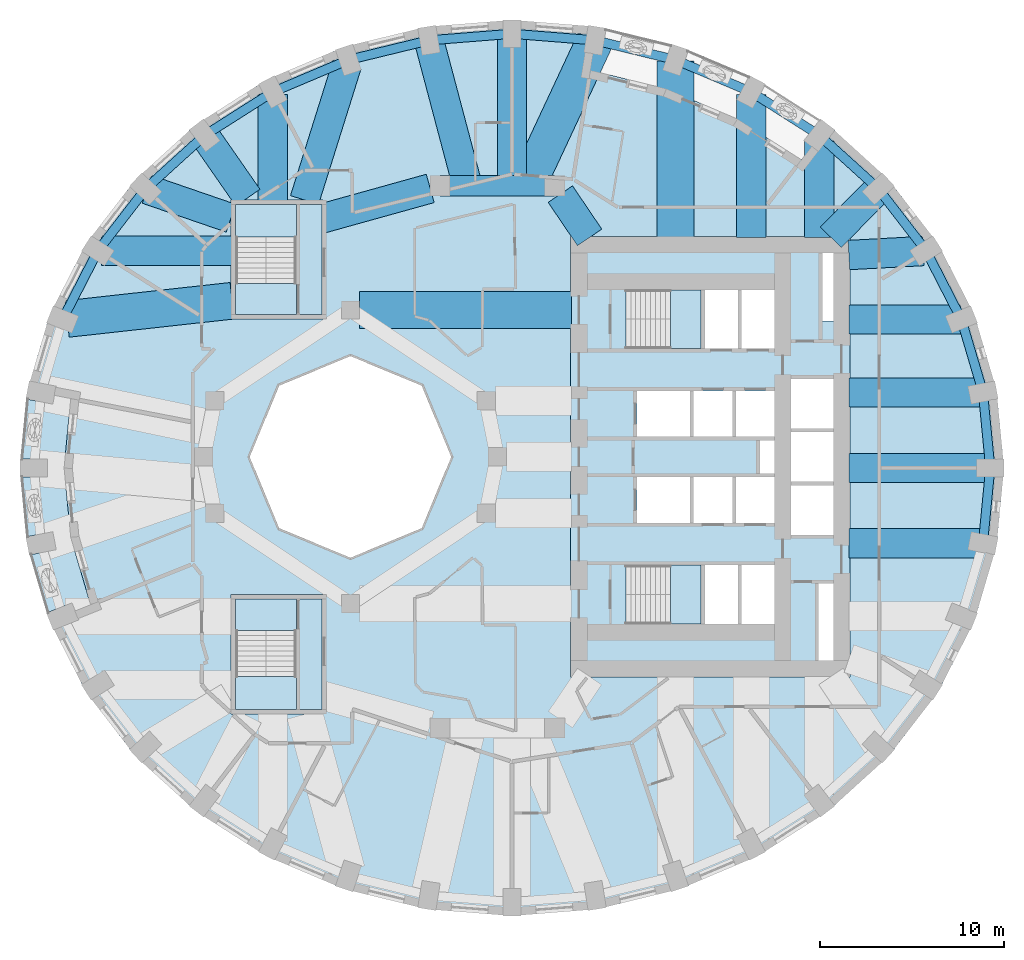
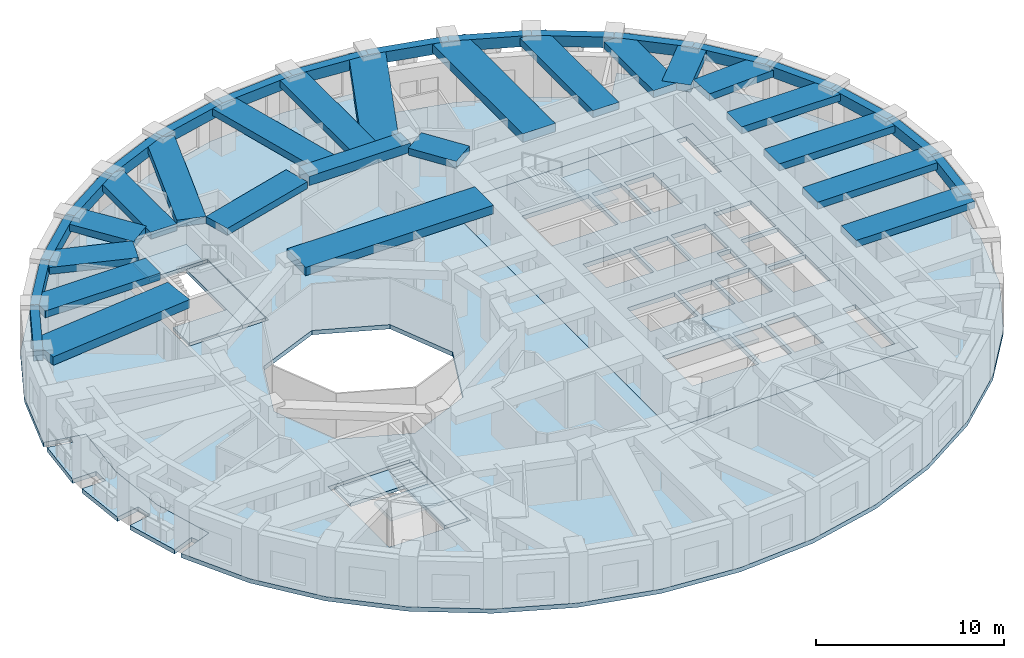
# One storey, part 2 of 12: 39 beams, 11 slabs, 4 elements without a shape of their own.
"""IFC4 building model written with IfcOpenShell, lengths in metres."""

import ifcopenshell
import ifcopenshell.guid

model = None  # the IFC model being written
_history = None  # IfcOwnerHistory: only IFC2X3 demands one
_inside = {}  # id of a spatial element -> (the spatial element, [elements in it])
_under = {}  # id of a project, library or spatial element -> (it, [spatial elements below it])
_declared = {}  # id of a project -> (the project, [libraries it declares])
_typed = {}  # id of a type object -> (the type object, [elements of that type])
_made_of = {}  # id of a material, layer set ... -> (it, [elements and type objects made of it])


def new_model(schema):
    """Start an empty IFC model of exactly this schema.

    Asked for "IFC4X3", IfcOpenShell would pick the latest addendum, in which some entities
    have other attributes; the version numbers below select the first issue.
    IFC2X3 requires an IfcOwnerHistory on every rooted entity: one is made here for all.
    """
    global model, _history
    if schema == "IFC4X3":
        model = ifcopenshell.file(schema_version=(4, 3, 0, 0))
    else:
        model = ifcopenshell.file(schema=schema)
    _inside.clear()
    _under.clear()
    _declared.clear()
    _typed.clear()
    _made_of.clear()
    _history = None
    if model.schema == "IFC2X3":
        org = make("IfcOrganization", Name="unknown")
        user = make(
            "IfcPersonAndOrganization",
            ThePerson=make("IfcPerson", FamilyName="unknown"),
            TheOrganization=org,
        )
        app = make(
            "IfcApplication",
            ApplicationDeveloper=org,
            Version="unknown",
            ApplicationFullName="unknown",
            ApplicationIdentifier="unknown",
        )
        _history = make(
            "IfcOwnerHistory",
            OwningUser=user,
            OwningApplication=app,
            ChangeAction="ADDED",
            CreationDate=0,
        )
    return model


def make(cls, **values):
    """One entity of the class cls with the attributes given. An attribute that is None is left unset."""
    return model.create_entity(
        cls, **{name: value for name, value in values.items() if value is not None}
    )


def rooted(cls, **values):
    """An entity with a GlobalId (a new one), such as an element, a storey or a relation."""
    return make(cls, GlobalId=ifcopenshell.guid.new(), OwnerHistory=_history, **values)


def si_unit(unit_type, name, prefix=None):
    """IfcSIUnit, for example si_unit("LENGTHUNIT", "METRE", prefix="MILLI")."""
    return make("IfcSIUnit", UnitType=unit_type, Prefix=prefix, Name=name)


def assignment(units):
    """IfcUnitAssignment: the units of a project."""
    return None if units is None else make("IfcUnitAssignment", Units=units)


def point(xyz):
    """IfcCartesianPoint."""
    return None if xyz is None else make("IfcCartesianPoint", Coordinates=xyz)


def direction(xyz):
    """IfcDirection."""
    return None if xyz is None else make("IfcDirection", DirectionRatios=xyz)


def frame(location, z_axis=None, x_axis=None):
    """IfcAxis2Placement3D, a coordinate frame: its origin and axes. An axis left out is left unset."""
    return make(
        "IfcAxis2Placement3D",
        Location=point(location),
        Axis=direction(z_axis),
        RefDirection=direction(x_axis),
    )


def frame_2d(location, x_axis=None):
    """IfcAxis2Placement2D, a coordinate frame in the plane: its origin and x axis."""
    return make(
        "IfcAxis2Placement2D", Location=point(location), RefDirection=direction(x_axis)
    )


def origin():
    """The frame at (0, 0, 0) with its axes left unset."""
    return frame((0.0, 0.0, 0.0))


def origin_2d():
    """The frame at (0, 0) in the plane with its x axis left unset."""
    return frame_2d((0.0, 0.0))


def place(relative_to, where):
    """IfcLocalPlacement: puts the frame where relative to a parent placement (None: the world)."""
    return make(
        "IfcLocalPlacement", PlacementRelTo=relative_to, RelativePlacement=where
    )


def context(
    kind, dimensions, precision=None, world=None, true_north=None, identifier=None
):
    """IfcGeometricRepresentationContext, for example the 3D "Model" context."""
    return make(
        "IfcGeometricRepresentationContext",
        ContextIdentifier=identifier,
        ContextType=kind,
        CoordinateSpaceDimension=dimensions,
        Precision=precision,
        WorldCoordinateSystem=world,
        TrueNorth=true_north,
    )


def subcontext(parent, identifier, kind, view, scale=None):
    """IfcGeometricRepresentationSubContext, for example "Body" below "Model"."""
    return make(
        "IfcGeometricRepresentationSubContext",
        ContextIdentifier=identifier,
        ContextType=kind,
        ParentContext=parent,
        TargetScale=scale,
        TargetView=view,
    )


def project(units=None, contexts=None):
    """IfcProject with its units and contexts."""
    return rooted(
        "IfcProject",
        Name="project",
        RepresentationContexts=contexts,
        UnitsInContext=assignment(units),
    )


def spatial(cls, under=None, at=None, **own):
    """A site, building, storey or space (cls), placed at a placement, below another one or the project."""
    s = rooted(cls, ObjectPlacement=at, **own)
    if under is not None:
        _under.setdefault(under.id(), (under, []))[1].append(s)
    return s


def polyline(points):
    """IfcPolyline through the points."""
    return make("IfcPolyline", Points=[point(p) for p in points])


def profile(cls, at=None, kind="AREA", **sizes):
    """A parametric profile (cls). Its sizes go by their IFC names, for example OverallWidth=200.0."""
    return make(cls, ProfileType=kind, Position=at, **sizes)


def rectangle(**sizes):
    """IfcRectangleProfileDef."""
    return profile("IfcRectangleProfileDef", **sizes)


def outline(outer, holes=None, kind="AREA"):
    """IfcArbitraryClosedProfileDef: a profile drawn as a closed curve; with holes, ...WithVoids."""
    if holes is None:
        return make("IfcArbitraryClosedProfileDef", ProfileType=kind, OuterCurve=outer)
    return make(
        "IfcArbitraryProfileDefWithVoids",
        ProfileType=kind,
        OuterCurve=outer,
        InnerCurves=holes,
    )


def extrude(swept, where, along, depth):
    """IfcExtrudedAreaSolid: the profile swept, set in the frame where, extruded along a direction by depth."""
    return make(
        "IfcExtrudedAreaSolid",
        SweptArea=swept,
        Position=where,
        ExtrudedDirection=direction(along),
        Depth=depth,
    )


def shape(context_of_items, identifier, shape_type, items):
    """IfcShapeRepresentation: the items that make up one representation, for example the "Body"."""
    return make(
        "IfcShapeRepresentation",
        ContextOfItems=context_of_items,
        RepresentationIdentifier=identifier,
        RepresentationType=shape_type,
        Items=items,
    )


def material(Name=None, Category=None):
    """IfcMaterial."""
    return make("IfcMaterial", Name=Name, Category=Category)


def layer(
    of_material, thickness, ventilated=None, Name=None, Category=None, Priority=None
):
    """IfcMaterialLayer: one layer of a wall or slab, of a material (None: an air gap)."""
    return make(
        "IfcMaterialLayer",
        Material=of_material,
        LayerThickness=thickness,
        IsVentilated=ventilated,
        Name=Name,
        Category=Category,
        Priority=Priority,
    )


def layer_set(layers, Name=None):
    """IfcMaterialLayerSet."""
    return make("IfcMaterialLayerSet", MaterialLayers=layers, LayerSetName=Name)


def material_profile(
    of_material, cross_section, Name=None, Category=None, Priority=None
):
    """IfcMaterialProfile: a cross section and its material."""
    return make(
        "IfcMaterialProfile",
        Name=Name,
        Material=of_material,
        Profile=cross_section,
        Priority=Priority,
        Category=Category,
    )


def profile_set(profiles, Name=None, composite=None):
    """IfcMaterialProfileSet."""
    return make(
        "IfcMaterialProfileSet",
        Name=Name,
        MaterialProfiles=profiles,
        CompositeProfile=composite,
    )


def made_of(thing, what):
    """Note that an element or type object is made of a material, layer set ...; save() writes the relation."""
    if what is not None:
        _made_of.setdefault(what.id(), (what, []))[1].append(thing)
    return thing


def type_object(cls, material=None, **own):
    """A type object (cls), such as IfcWallType, which elements share."""
    return made_of(rooted(cls, **own), material)


def element(
    cls,
    number,
    at=None,
    inside=None,
    cuts=None,
    type_object=None,
    material=None,
    context=None,
    identifier="Body",
    shape_type=None,
    held_by="IfcProductDefinitionShape",
    body=None,
    shapes=None,
    **own,
):
    """One element of the class cls, such as IfcWall. Its Tag is "e" and its number.

    at: its placement. inside: the storey or other place that contains it. cuts: it is an
    opening in that element (IfcRelVoidsElement). A single representation is given by context,
    identifier, shape_type and body (its items); several are given by shapes. held_by: the class
    of the entity that holds the representations. save() writes the other relations.
    """
    e = rooted(cls, Tag="e%d" % number, ObjectPlacement=at, **own)
    if body is not None:
        shapes = [shape(context, identifier, shape_type, body)]
    if shapes is not None:
        e.Representation = make(held_by, Representations=shapes)
    if inside is not None:
        _inside.setdefault(inside.id(), (inside, []))[1].append(e)
    if cuts is not None:
        rooted(
            "IfcRelVoidsElement", RelatingBuildingElement=cuts, RelatedOpeningElement=e
        )
    if type_object is not None:
        _typed.setdefault(type_object.id(), (type_object, []))[1].append(e)
    return made_of(e, material)


def aggregate(whole, parts):
    """IfcRelAggregates: a whole, such as a stair, and the parts it consists of."""
    return rooted("IfcRelAggregates", RelatingObject=whole, RelatedObjects=parts)


def save(model, path):
    """Write the relations noted so far, then the file.

    IfcRelAggregates (storeys below a building ...), IfcRelContainedInSpatialStructure (elements
    in a storey), IfcRelDefinesByType, IfcRelAssociatesMaterial and IfcRelDeclares: one each for
    every whole, place, type object, material and project.
    """
    for whole, parts in _under.values():
        aggregate(whole, parts)
    for where, things in _inside.values():
        rooted(
            "IfcRelContainedInSpatialStructure",
            RelatedElements=things,
            RelatingStructure=where,
        )
    for kind, things in _typed.values():
        rooted("IfcRelDefinesByType", RelatedObjects=things, RelatingType=kind)
    for what, things in _made_of.values():
        rooted("IfcRelAssociatesMaterial", RelatedObjects=things, RelatingMaterial=what)
    for by, libraries in _declared.values():
        rooted("IfcRelDeclares", RelatingContext=by, RelatedDefinitions=libraries)
    model.write(path)


model = new_model("IFC4")

# Units and contexts
model_context = context("Model", 3, precision=1e-05, world=origin(), true_north=direction((0.0, 1.0)))
body_context = subcontext(model_context, "Body", "Model", "MODEL_VIEW")
ifc_project = project(units=[si_unit("LENGTHUNIT", "METRE"), si_unit("AREAUNIT", "SQUARE_METRE"), si_unit("VOLUMEUNIT", "CUBIC_METRE"), si_unit("PLANEANGLEUNIT", "RADIAN"), si_unit("MASSUNIT", "GRAM", prefix="KILO")], contexts=[model_context])

# Site, building, storey
site_placement = place(None, origin())
site = spatial("IfcSite", under=ifc_project, at=site_placement, CompositionType="ELEMENT")
building_placement = place(site_placement, origin())
building = spatial("IfcBuilding", under=site, at=building_placement, Name="Taillehof Tower", CompositionType="ELEMENT")
storey_placement = place(building_placement, frame((0.0, 0.0, 98.800048828125)))
storey = spatial("IfcBuildingStorey", under=building, at=storey_placement, Name="L27", CompositionType="ELEMENT", Elevation=98.800048828125)

# Beams
ifc_material_1 = material(Name="Concrete C50/60", Category="concrete")
ifc_material_profile_1 = material_profile(ifc_material_1, rectangle(XDim=1.10009765625, YDim=0.60009765625, at=origin_2d()), Name="RC 1100x600")
ifc_profile_set_1 = profile_set([ifc_material_profile_1], Name="Concrete C50/60")
beam_type_1 = type_object("IfcBeamType", Name="Mid-ring beam C50/60 1100x600", PredefinedType="BEAM", material=ifc_profile_set_1)
beam_1_placement = place(storey_placement, frame((3.125732421875, 14.772216796875, 2.719970703125), z_axis=(-1.0, 0.0, 0.0), x_axis=(0.0, -1.0, 0.0)))
element("IfcBeam", 1, at=beam_1_placement, inside=storey, type_object=beam_type_1, Name="Mid-ring beam MB01", PredefinedType="BEAM", context=body_context, shape_type="SweptSolid", body=[
    extrude(rectangle(XDim=1.10009765625, YDim=0.60009765625, at=origin_2d()), origin(), (0.0, 0.0, 1.0), 6.25146484375),
])
ifc_material_2 = material(Name="Concrete C50/60", Category="concrete")
ifc_material_profile_2 = material_profile(ifc_material_2, rectangle(XDim=1.60009765625, YDim=0.449951171875, at=origin_2d()), Name="RC 1600x450")
ifc_profile_set_2 = profile_set([ifc_material_profile_2], Name="Concrete C50/60")
beam_type_2 = type_object("IfcBeamType", Name="Radial band beam C50/60 1600x450", PredefinedType="BEAM", material=ifc_profile_set_2)
beam_2_placement = place(storey_placement, frame((26.85009765625, -0.60009765625, 2.794921875), z_axis=(-1.0, 0.0, 0.0), x_axis=(0.0, -1.0, 0.0)))
element("IfcBeam", 2, at=beam_2_placement, inside=storey, type_object=beam_type_2, Name="Radial band beam RB01", PredefinedType="BEAM", context=body_context, shape_type="SweptSolid", body=[
    extrude(rectangle(XDim=1.60009765625, YDim=0.449951171875, at=origin_2d()), origin(), (0.0, 0.0, 1.0), 7.7001953125),
])
beam_3_placement = place(storey_placement, frame((26.454345703125, 3.5068359375, 2.794921875), z_axis=(-1.0, 0.0, 0.0), x_axis=(0.0, -1.0, 0.0)))
element("IfcBeam", 3, at=beam_3_placement, inside=storey, type_object=beam_type_2, Name="Radial band beam RB02", PredefinedType="BEAM", context=body_context, shape_type="SweptSolid", body=[
    extrude(rectangle(XDim=1.60009765625, YDim=0.449951171875, at=origin_2d()), origin(), (0.0, 0.0, 1.0), 7.304443359375),
])
beam_4_placement = place(storey_placement, frame((25.2275390625, 7.48876953125, 2.794921875), z_axis=(-1.0, 0.0, 0.0), x_axis=(0.0, -1.0, 0.0)))
element("IfcBeam", 4, at=beam_4_placement, inside=storey, type_object=beam_type_2, Name="Radial band beam RB03", PredefinedType="BEAM", context=body_context, shape_type="SweptSolid", body=[
    extrude(rectangle(XDim=1.60009765625, YDim=0.449951171875, at=origin_2d()), origin(), (0.0, 0.0, 1.0), 6.07763671875),
])
beam_5_placement = place(storey_placement, frame((23.197021484375, 11.21630859375, 2.794921875), z_axis=(-0.998539024739, -0.054035322466, 0.0), x_axis=(0.054035322466, -0.998539024739, 0.0)))
element("IfcBeam", 5, at=beam_5_placement, inside=storey, type_object=beam_type_2, Name="Radial band beam RB04", PredefinedType="BEAM", context=body_context, shape_type="SweptSolid", body=[
    extrude(rectangle(XDim=1.60009765625, YDim=0.449951171875, at=origin_2d()), origin(), (0.0, 0.0, 1.0), 4.052734375),
])
beam_6_placement = place(storey_placement, frame((20.75537109375, 14.60205078125, 2.794921875), z_axis=(-0.700671998657, -0.713483531903, 0.0), x_axis=(0.713483531903, -0.700671998657, 0.0)))
element("IfcBeam", 6, at=beam_6_placement, inside=storey, type_object=beam_type_2, Name="Radial band beam RB05", PredefinedType="BEAM", context=body_context, shape_type="SweptSolid", body=[
    extrude(rectangle(XDim=1.60009765625, YDim=0.449951171875, at=origin_2d()), origin(), (0.0, 0.0, 1.0), 3.697021484375),
])
beam_7_placement = place(storey_placement, frame((17.544677734375, 17.2216796875, 2.794921875), z_axis=(0.0, -1.0, 0.0), x_axis=(1.0, 0.0, 0.0)))
element("IfcBeam", 7, at=beam_7_placement, inside=storey, type_object=beam_type_2, Name="Radial band beam RB06", PredefinedType="BEAM", context=body_context, shape_type="SweptSolid", body=[
    extrude(rectangle(XDim=1.60009765625, YDim=0.449951171875, at=origin_2d()), origin(), (0.0, 0.0, 1.0), 5.271728515625),
])
beam_8_placement = place(storey_placement, frame((13.824951171875, 19.744384765625, 2.794921875), z_axis=(0.0, -1.0, 0.0), x_axis=(1.0, 0.0, 0.0)))
element("IfcBeam", 8, at=beam_8_placement, inside=storey, type_object=beam_type_2, Name="Radial band beam RB07", PredefinedType="BEAM", context=body_context, shape_type="SweptSolid", body=[
    extrude(rectangle(XDim=1.60009765625, YDim=0.449951171875, at=origin_2d()), origin(), (0.0, 0.0, 1.0), 7.79443359375),
])
beam_9_placement = place(storey_placement, frame((0.800048828125, 23.050048828125, 2.794921875), z_axis=(0.0, -1.0, 0.0), x_axis=(1.0, 0.0, 0.0)))
element("IfcBeam", 9, at=beam_9_placement, inside=storey, type_object=beam_type_2, Name="Radial band beam RB10", PredefinedType="BEAM", context=body_context, shape_type="SweptSolid", body=[
    extrude(rectangle(XDim=1.60009765625, YDim=0.449951171875, at=origin_2d()), origin(), (0.0, 0.0, 1.0), 8.27783203125),
])
beam_10_placement = place(storey_placement, frame((-3.7236328125, 22.690673828125, 2.794921875), z_axis=(0.256102263642, -0.966649693817, 0.0), x_axis=(0.966649693817, 0.256102263642, 0.0)))
element("IfcBeam", 10, at=beam_10_placement, inside=storey, type_object=beam_type_2, Name="Radial band beam RB11", PredefinedType="BEAM", context=body_context, shape_type="SweptSolid", body=[
    extrude(rectangle(XDim=1.60009765625, YDim=0.449951171875, at=origin_2d()), origin(), (0.0, 0.0, 1.0), 8.191650390625),
])
beam_11_placement = place(storey_placement, frame((-8.189453125, 21.369140625, 2.794921875), z_axis=(-0.299184997435, -0.954195125386, 0.0), x_axis=(0.954195125386, -0.299184997435, 0.0)))
element("IfcBeam", 11, at=beam_11_placement, inside=storey, type_object=beam_type_2, Name="Radial band beam RB12", PredefinedType="BEAM", context=body_context, shape_type="SweptSolid", body=[
    extrude(rectangle(XDim=1.60009765625, YDim=0.449951171875, at=origin_2d()), origin(), (0.0, 0.0, 1.0), 7.728515625),
])
beam_12_placement = place(storey_placement, frame((-12.22509765625, 19.744384765625, 2.794921875), z_axis=(0.0, -1.0, 0.0), x_axis=(1.0, 0.0, 0.0)))
element("IfcBeam", 12, at=beam_12_placement, inside=storey, type_object=beam_type_2, Name="Radial band beam RB13", PredefinedType="BEAM", context=body_context, shape_type="SweptSolid", body=[
    extrude(rectangle(XDim=1.60009765625, YDim=0.449951171875, at=origin_2d()), origin(), (0.0, 0.0, 1.0), 5.79443359375),
])
beam_13_placement = place(storey_placement, frame((-15.944580078125, 17.516845703125, 2.794921875), z_axis=(0.570763290366, -0.821114648737, 0.0), x_axis=(0.821114648737, 0.570763290366, 0.0)))
element("IfcBeam", 13, at=beam_13_placement, inside=storey, type_object=beam_type_2, Name="Radial band beam RB14", PredefinedType="BEAM", context=body_context, shape_type="SweptSolid", body=[
    extrude(rectangle(XDim=1.60009765625, YDim=0.449951171875, at=origin_2d()), origin(), (0.0, 0.0, 1.0), 4.1328125),
])
beam_14_placement = place(storey_placement, frame((-19.080810546875, 14.576171875, 2.794921875), z_axis=(0.945583195076, -0.325380425334, 0.0), x_axis=(0.325380425334, 0.945583195076, 0.0)))
element("IfcBeam", 14, at=beam_14_placement, inside=storey, type_object=beam_type_2, Name="Radial band beam RB15", PredefinedType="BEAM", context=body_context, shape_type="SweptSolid", body=[
    extrude(rectangle(XDim=1.60009765625, YDim=0.449951171875, at=origin_2d()), origin(), (0.0, 0.0, 1.0), 4.83349609375),
])
beam_15_placement = place(storey_placement, frame((-21.54736328125, 11.22509765625, 2.794921875), z_axis=(1.0, 0.0, 0.0), x_axis=(0.0, 1.0, 0.0)))
element("IfcBeam", 15, at=beam_15_placement, inside=storey, type_object=beam_type_2, Name="Radial band beam RB16", PredefinedType="BEAM", context=body_context, shape_type="SweptSolid", body=[
    extrude(rectangle(XDim=1.60009765625, YDim=0.449951171875, at=origin_2d()), origin(), (0.0, 0.0, 1.0), 7.097412109375),
])
beam_16_placement = place(storey_placement, frame((26.454345703125, -4.706787109375, 2.794921875), z_axis=(-1.0, 0.0, 0.0), x_axis=(0.0, -1.0, 0.0)))
element("IfcBeam", 16, at=beam_16_placement, inside=storey, type_object=beam_type_2, Name="Radial band beam RB36", PredefinedType="BEAM", context=body_context, shape_type="SweptSolid", body=[
    extrude(rectangle(XDim=1.60009765625, YDim=0.449951171875, at=origin_2d()), origin(), (0.0, 0.0, 1.0), 7.304443359375),
])
beam_17_placement = place(storey_placement, frame((3.433837890625, 14.31640625, 2.794921875), z_axis=(0.560112043398, -0.828416862962, 0.0), x_axis=(0.828416862962, 0.560112043398, 0.0)))
element("IfcBeam", 17, at=beam_17_placement, inside=storey, type_object=beam_type_2, Name="Inner band beam IB205", PredefinedType="BEAM", context=body_context, shape_type="SweptSolid", body=[
    extrude(rectangle(XDim=1.60009765625, YDim=0.449951171875, at=origin_2d()), origin(), (0.0, 0.0, 1.0), 2.84619140625),
])
beam_18_placement = place(storey_placement, frame((-3.655517578125, 14.624755859375, 2.794921875), z_axis=(-0.963459369536, -0.267854518821, 0.0), x_axis=(0.267854518821, -0.963459369536, 0.0)))
element("IfcBeam", 18, at=beam_18_placement, inside=storey, type_object=beam_type_2, Name="Inner band beam IB206", PredefinedType="BEAM", context=body_context, shape_type="SweptSolid", body=[
    extrude(rectangle(XDim=1.60009765625, YDim=0.449951171875, at=origin_2d()), origin(), (0.0, 0.0, 1.0), 6.096923828125),
])
ifc_material_3 = material(Name="Concrete C50/60", Category="concrete")
ifc_material_profile_3 = material_profile(ifc_material_3, rectangle(XDim=2.0, YDim=0.550048828125, at=origin_2d()), Name="RC 2000x550")
ifc_profile_set_3 = profile_set([ifc_material_profile_3], Name="Concrete C50/60")
beam_type_3 = type_object("IfcBeamType", Name="Radial band beam C50/60 2000x550", PredefinedType="BEAM", material=ifc_profile_set_3)
beam_19_placement = place(storey_placement, frame((9.709716796875, 21.556640625, 2.744873046875), z_axis=(0.0, -1.0, 0.0), x_axis=(1.0, 0.0, 0.0)))
element("IfcBeam", 19, at=beam_19_placement, inside=storey, type_object=beam_type_3, Name="Radial band beam RB08", PredefinedType="BEAM", context=body_context, shape_type="SweptSolid", body=[
    extrude(rectangle(XDim=2.0, YDim=0.550048828125, at=origin_2d()), origin(), (0.0, 0.0, 1.0), 9.606689453125),
])
beam_20_placement = place(storey_placement, frame((5.312744140625, 22.66748046875, 2.744873046875), z_axis=(-0.423126261145, -0.90607072965, 0.0), x_axis=(0.90607072965, -0.423126261145, 0.0)))
element("IfcBeam", 20, at=beam_20_placement, inside=storey, type_object=beam_type_3, Name="Radial band beam RB09", PredefinedType="BEAM", context=body_context, shape_type="SweptSolid", body=[
    extrude(rectangle(XDim=2.0, YDim=0.550048828125, at=origin_2d()), origin(), (0.0, 0.0, 1.0), 8.713623046875),
])
beam_21_placement = place(storey_placement, frame((-23.42919921875, 7.516357421875, 2.744873046875), z_axis=(0.993988424713, 0.109485211499, 0.0), x_axis=(-0.109485211499, 0.993988424713, 0.0)))
element("IfcBeam", 21, at=beam_21_placement, inside=storey, type_object=beam_type_3, Name="Radial band beam RB17", PredefinedType="BEAM", context=body_context, shape_type="SweptSolid", body=[
    extrude(rectangle(XDim=2.0, YDim=0.550048828125, at=origin_2d()), origin(), (0.0, 0.0, 1.0), 9.033203125),
])
beam_22_placement = place(storey_placement, frame((-7.5, 8.0, 2.744873046875), z_axis=(1.0, 0.0, 0.0), x_axis=(0.0, 1.0, 0.0)))
element("IfcBeam", 22, at=beam_22_placement, inside=storey, type_object=beam_type_3, Name="Inner band beam IB105", PredefinedType="BEAM", context=body_context, shape_type="SweptSolid", body=[
    extrude(rectangle(XDim=2.0, YDim=0.550048828125, at=origin_2d()), origin(), (0.0, 0.0, 1.0), 11.550048828125),
])
ifc_material_4 = material(Name="Concrete C50/60", Category="concrete")
ifc_material_profile_4 = material_profile(ifc_material_4, rectangle(XDim=0.5, YDim=0.699951171875, at=origin_2d()), Name="RC 500x700")
ifc_profile_set_4 = profile_set([ifc_material_profile_4], Name="Concrete C50/60")
beam_type_4 = type_object("IfcBeamType", Name="Spandrel beam C50/60 500x700", PredefinedType="SPANDREL", material=ifc_profile_set_4)
beam_23_placement = place(storey_placement, frame((26.85009765625, -0.60009765625, 2.669921875), z_axis=(-0.095917608943, 0.995389276763, 0.0), x_axis=(-0.995389276763, -0.095917608943, 0.0)))
element("IfcBeam", 23, at=beam_23_placement, inside=storey, type_object=beam_type_4, Name="Spandrel beam SB01", PredefinedType="SPANDREL", context=body_context, shape_type="SweptSolid", body=[
    extrude(rectangle(XDim=0.5, YDim=0.699951171875, at=origin_2d()), origin(), (0.0, 0.0, 1.0), 4.1259765625),
])
beam_24_placement = place(storey_placement, frame((26.454345703125, 3.5068359375, 2.669921875), z_axis=(-0.28308309012, 0.95909538842, 0.0), x_axis=(-0.95909538842, -0.28308309012, 0.0)))
element("IfcBeam", 24, at=beam_24_placement, inside=storey, type_object=beam_type_4, Name="Spandrel beam SB02", PredefinedType="SPANDREL", context=body_context, shape_type="SweptSolid", body=[
    extrude(rectangle(XDim=0.5, YDim=0.699951171875, at=origin_2d()), origin(), (0.0, 0.0, 1.0), 4.15185546875),
])
beam_25_placement = place(storey_placement, frame((25.279052734375, 7.48876953125, 2.669921875), z_axis=(-0.456905372708, 0.88951530644, 0.0), x_axis=(-0.88951530644, -0.456905372708, 0.0)))
element("IfcBeam", 25, at=beam_25_placement, inside=storey, type_object=beam_type_4, Name="Spandrel beam SB03", PredefinedType="SPANDREL", context=body_context, shape_type="SweptSolid", body=[
    extrude(rectangle(XDim=0.5, YDim=0.699951171875, at=origin_2d()), origin(), (0.0, 0.0, 1.0), 4.200439453125),
])
beam_26_placement = place(storey_placement, frame((23.35986328125, 11.22509765625, 2.669921875), z_axis=(-0.61071731561, 0.79184869793, 0.0), x_axis=(-0.79184869793, -0.61071731561, 0.0)))
element("IfcBeam", 26, at=beam_26_placement, inside=storey, type_object=beam_type_4, Name="Spandrel beam SB04", PredefinedType="SPANDREL", context=body_context, shape_type="SweptSolid", body=[
    extrude(rectangle(XDim=0.5, YDim=0.699951171875, at=origin_2d()), origin(), (0.0, 0.0, 1.0), 4.2646484375),
])
beam_27_placement = place(storey_placement, frame((20.75537109375, 14.60205078125, 2.669921875), z_axis=(-0.740400998917, 0.672165426665, 0.0), x_axis=(-0.672165426665, -0.740400998917, 0.0)))
element("IfcBeam", 27, at=beam_27_placement, inside=storey, type_object=beam_type_4, Name="Spandrel beam SB05", PredefinedType="SPANDREL", context=body_context, shape_type="SweptSolid", body=[
    extrude(rectangle(XDim=0.5, YDim=0.699951171875, at=origin_2d()), origin(), (0.0, 0.0, 1.0), 4.33642578125),
])
beam_28_placement = place(storey_placement, frame((17.544677734375, 17.516845703125, 2.669921875), z_axis=(-0.843903157847, 0.536495536027, 0.0), x_axis=(-0.536495536027, -0.843903157847, 0.0)))
element("IfcBeam", 28, at=beam_28_placement, inside=storey, type_object=beam_type_4, Name="Spandrel beam SB06", PredefinedType="SPANDREL", context=body_context, shape_type="SweptSolid", body=[
    extrude(rectangle(XDim=0.5, YDim=0.699951171875, at=origin_2d()), origin(), (0.0, 0.0, 1.0), 4.40771484375),
])
beam_29_placement = place(storey_placement, frame((13.824951171875, 19.881591796875, 2.669921875), z_axis=(-0.920876744153, 0.389853847074, 0.0), x_axis=(-0.389853847074, -0.920876744153, 0.0)))
element("IfcBeam", 29, at=beam_29_placement, inside=storey, type_object=beam_type_4, Name="Spandrel beam SB07", PredefinedType="SPANDREL", context=body_context, shape_type="SweptSolid", body=[
    extrude(rectangle(XDim=0.5, YDim=0.699951171875, at=origin_2d()), origin(), (0.0, 0.0, 1.0), 4.46875),
])
beam_30_placement = place(storey_placement, frame((9.709716796875, 21.623779296875, 2.669921875), z_axis=(-0.971668945916, 0.23634605887, 0.0), x_axis=(-0.23634605887, -0.971668945916, 0.0)))
element("IfcBeam", 30, at=beam_30_placement, inside=storey, type_object=beam_type_4, Name="Spandrel beam SB08", PredefinedType="SPANDREL", context=body_context, shape_type="SweptSolid", body=[
    extrude(rectangle(XDim=0.5, YDim=0.699951171875, at=origin_2d()), origin(), (0.0, 0.0, 1.0), 4.51416015625),
])
beam_31_placement = place(storey_placement, frame((5.323486328125, 22.690673828125, 2.669921875), z_axis=(-0.996858923208, 0.079197772828, 0.0), x_axis=(-0.079197772828, -0.996858923208, 0.0)))
element("IfcBeam", 31, at=beam_31_placement, inside=storey, type_object=beam_type_4, Name="Spandrel beam SB09", PredefinedType="SPANDREL", context=body_context, shape_type="SweptSolid", body=[
    extrude(rectangle(XDim=0.5, YDim=0.699951171875, at=origin_2d()), origin(), (0.0, 0.0, 1.0), 4.53759765625),
])
beam_32_placement = place(storey_placement, frame((0.800048828125, 23.050048828125, 2.669921875), z_axis=(-0.996859260648, -0.079193525375, 0.0), x_axis=(0.079193525375, -0.996859260648, 0.0)))
element("IfcBeam", 32, at=beam_32_placement, inside=storey, type_object=beam_type_4, Name="Spandrel beam SB10", PredefinedType="SPANDREL", context=body_context, shape_type="SweptSolid", body=[
    extrude(rectangle(XDim=0.5, YDim=0.699951171875, at=origin_2d()), origin(), (0.0, 0.0, 1.0), 4.537841796875),
])
beam_33_placement = place(storey_placement, frame((-3.7236328125, 22.690673828125, 2.669921875), z_axis=(-0.971665924588, -0.236358479847, 0.0), x_axis=(0.236358479847, -0.971665924588, 0.0)))
element("IfcBeam", 33, at=beam_33_placement, inside=storey, type_object=beam_type_4, Name="Spandrel beam SB11", PredefinedType="SPANDREL", context=body_context, shape_type="SweptSolid", body=[
    extrude(rectangle(XDim=0.5, YDim=0.699951171875, at=origin_2d()), origin(), (0.0, 0.0, 1.0), 4.513916015625),
])
beam_34_placement = place(storey_placement, frame((-8.109619140625, 21.623779296875, 2.669921875), z_axis=(-0.920885046825, -0.389834234688, 0.0), x_axis=(0.389834234688, -0.920885046825, 0.0)))
element("IfcBeam", 34, at=beam_34_placement, inside=storey, type_object=beam_type_4, Name="Spandrel beam SB12", PredefinedType="SPANDREL", context=body_context, shape_type="SweptSolid", body=[
    extrude(rectangle(XDim=0.5, YDim=0.699951171875, at=origin_2d()), origin(), (0.0, 0.0, 1.0), 4.468994140625),
])
beam_35_placement = place(storey_placement, frame((-12.22509765625, 19.881591796875, 2.669921875), z_axis=(-0.843887214322, -0.536520614239, 0.0), x_axis=(0.536520614239, -0.843887214322, 0.0)))
element("IfcBeam", 35, at=beam_35_placement, inside=storey, type_object=beam_type_4, Name="Spandrel beam SB13", PredefinedType="SPANDREL", context=body_context, shape_type="SweptSolid", body=[
    extrude(rectangle(XDim=0.5, YDim=0.699951171875, at=origin_2d()), origin(), (0.0, 0.0, 1.0), 4.407470703125),
])
beam_36_placement = place(storey_placement, frame((-15.944580078125, 17.516845703125, 2.669921875), z_axis=(-0.740426434014, -0.672137408432, 0.0), x_axis=(0.672137408432, -0.740426434014, 0.0)))
element("IfcBeam", 36, at=beam_36_placement, inside=storey, type_object=beam_type_4, Name="Spandrel beam SB14", PredefinedType="SPANDREL", context=body_context, shape_type="SweptSolid", body=[
    extrude(rectangle(XDim=0.5, YDim=0.699951171875, at=origin_2d()), origin(), (0.0, 0.0, 1.0), 4.336669921875),
])
beam_37_placement = place(storey_placement, frame((-19.155517578125, 14.60205078125, 2.669921875), z_axis=(-0.61071731561, -0.79184869793, 0.0), x_axis=(0.79184869793, -0.61071731561, 0.0)))
element("IfcBeam", 37, at=beam_37_placement, inside=storey, type_object=beam_type_4, Name="Spandrel beam SB15", PredefinedType="SPANDREL", context=body_context, shape_type="SweptSolid", body=[
    extrude(rectangle(XDim=0.5, YDim=0.699951171875, at=origin_2d()), origin(), (0.0, 0.0, 1.0), 4.2646484375),
])
beam_38_placement = place(storey_placement, frame((-21.760009765625, 11.22509765625, 2.669921875), z_axis=(-0.456859381733, -0.889538928503, 0.0), x_axis=(0.889538928503, -0.456859381733, 0.0)))
element("IfcBeam", 38, at=beam_38_placement, inside=storey, type_object=beam_type_4, Name="Spandrel beam SB16", PredefinedType="SPANDREL", context=body_context, shape_type="SweptSolid", body=[
    extrude(rectangle(XDim=0.5, YDim=0.699951171875, at=origin_2d()), origin(), (0.0, 0.0, 1.0), 4.2001953125),
])
beam_39_placement = place(storey_placement, frame((26.454345703125, -4.706787109375, 2.669921875), z_axis=(0.09592325873, 0.995388732323, 0.0), x_axis=(-0.995388732323, 0.09592325873, 0.0)))
element("IfcBeam", 39, at=beam_39_placement, inside=storey, type_object=beam_type_4, Name="Spandrel beam SB36", PredefinedType="SPANDREL", context=body_context, shape_type="SweptSolid", body=[
    extrude(rectangle(XDim=0.5, YDim=0.699951171875, at=origin_2d()), origin(), (0.0, 0.0, 1.0), 4.125732421875),
])

# Slabs
ifc_material_5 = material(Name="Concrete C40/50", Category="concrete")
ifc_layer_1 = layer(ifc_material_5, 0.280029296875)
ifc_layer_set_1 = layer_set([ifc_layer_1], Name="Balcony slab 280")
slab_type_1 = type_object("IfcSlabType", Name="Balcony slab 280", PredefinedType="USERDEFINED", material=ifc_layer_set_1)
slab_1_placement = place(storey_placement, frame((0.0, 0.0, -0.280029296875)))
element("IfcSlab", 40, at=slab_1_placement, inside=storey, type_object=slab_type_1, Name="Balcony L27 pocket 5", ObjectType="BALCONY", PredefinedType="USERDEFINED", context=body_context, shape_type="SweptSolid", body=[
    extrude(outline(polyline([(-22.1552734375, -8.054443359375), (-22.9912109375, -8.388671875), (-23.168212890625, -7.946044921875), (-24.518798828125, -8.486083984375), (-25.447509765625, -5.3310546875), (-24.02294921875, -5.05517578125), (-24.212890625, -4.0732421875), (-25.6396484375, -4.349609375), (-25.951904296875, -1.10009765625), (-24.5, -1.10009765625), (-24.5, -0.10009765625), (-25.951904296875, -0.10009765625), (-25.6396484375, 3.149658203125), (-24.212890625, 2.873291015625), (-24.120361328125, 3.351806640625), (-23.236572265625, 3.1806640625), (-23.60009765625, -0.60009765625), (-23.236572265625, -4.380615234375), (-22.1552734375, -8.054443359375)])), origin(), (0.0, 0.0, 1.0), 0.280029296875),
])
ifc_material_6 = material(Name="Concrete C40/50", Category="concrete")
ifc_layer_2 = layer(ifc_material_6, 0.280029296875)
ifc_layer_set_2 = layer_set([ifc_layer_2], Name="Core floor slab C40/50 280")
slab_type_2 = type_object("IfcSlabType", Name="Core floor slab C40/50 280", PredefinedType="FLOOR", material=ifc_layer_set_2)
slab_2_placement = place(storey_placement, frame((0.0, 0.0, -0.280029296875)))
element("IfcSlab", 41, at=slab_2_placement, inside=storey, type_object=slab_type_2, Name="Core floor L27", PredefinedType="FLOOR", context=body_context, shape_type="SweptSolid", body=[
    extrude(outline(polyline([(4.0, -12.0), (4.0, 12.0), (19.199951171875, 12.0), (19.199951171875, -12.0), (4.0, -12.0)]), holes=[polyline([(7.00048828125, -9.10009765625), (11.10009765625, -9.10009765625), (11.10009765625, -5.89990234375), (7.00048828125, -5.89990234375), (7.00048828125, -9.10009765625)]), polyline([(13.10009765625, -9.10009765625), (13.10009765625, -5.89990234375), (11.300048828125, -5.89990234375), (11.300048828125, -9.10009765625), (13.10009765625, -9.10009765625)]), polyline([(10.5, -3.60009765625), (10.5, -1.10009765625), (7.60009765625, -1.10009765625), (7.60009765625, -3.60009765625), (10.5, -3.60009765625)]), polyline([(12.800048828125, -3.60009765625), (12.800048828125, -1.10009765625), (10.699951171875, -1.10009765625), (10.699951171875, -3.60009765625), (12.800048828125, -3.60009765625)]), polyline([(10.5, 1.10009765625), (10.5, 3.60009765625), (7.60009765625, 3.60009765625), (7.60009765625, 1.10009765625), (10.5, 1.10009765625)]), polyline([(12.800048828125, 1.10009765625), (12.800048828125, 3.60009765625), (10.699951171875, 3.60009765625), (10.699951171875, 1.10009765625), (12.800048828125, 1.10009765625)]), polyline([(15.10009765625, 1.10009765625), (15.10009765625, 3.60009765625), (13.0, 3.60009765625), (13.0, 1.10009765625), (15.10009765625, 1.10009765625)]), polyline([(11.300048828125, 5.89990234375), (13.10009765625, 5.89990234375), (13.10009765625, 9.10009765625), (11.300048828125, 9.10009765625), (11.300048828125, 5.89990234375)]), polyline([(7.00048828125, 5.89990234375), (11.10009765625, 5.89990234375), (11.10009765625, 9.10009765625), (7.00048828125, 9.10009765625), (7.00048828125, 5.89990234375)]), polyline([(18.300048828125, -11.10009765625), (18.300048828125, -6.89990234375), (17.5, -6.89990234375), (17.5, -11.10009765625), (18.300048828125, -11.10009765625)]), polyline([(15.10009765625, -9.10009765625), (15.10009765625, -5.89990234375), (13.300048828125, -5.89990234375), (13.300048828125, -9.10009765625), (15.10009765625, -9.10009765625)]), polyline([(18.300048828125, -4.25), (18.300048828125, -1.550048828125), (16.0, -1.550048828125), (16.0, -4.25), (18.300048828125, -4.25)]), polyline([(15.10009765625, -3.60009765625), (15.10009765625, -1.10009765625), (13.0, -1.10009765625), (13.0, -3.60009765625), (15.10009765625, -3.60009765625)]), polyline([(15.10009765625, -0.89990234375), (15.10009765625, 0.89990234375), (14.300048828125, 0.89990234375), (14.300048828125, -0.89990234375), (15.10009765625, -0.89990234375)]), polyline([(18.300048828125, -1.35009765625), (18.300048828125, 1.35009765625), (16.0, 1.35009765625), (16.0, -1.35009765625), (18.300048828125, -1.35009765625)]), polyline([(18.300048828125, 1.550048828125), (18.300048828125, 4.25), (16.0, 4.25), (16.0, 1.550048828125), (18.300048828125, 1.550048828125)]), polyline([(13.300048828125, 5.89990234375), (15.10009765625, 5.89990234375), (15.10009765625, 9.10009765625), (13.300048828125, 9.10009765625), (13.300048828125, 5.89990234375)]), polyline([(18.300048828125, 7.39990234375), (18.300048828125, 11.10009765625), (17.699951171875, 11.10009765625), (17.699951171875, 7.39990234375), (18.300048828125, 7.39990234375)])]), origin(), (0.0, 0.0, 1.0), 0.280029296875),
])
ifc_material_7 = material(Name="Concrete C40/50", Category="concrete")
ifc_layer_3 = layer(ifc_material_7, 0.280029296875)
ifc_layer_set_3 = layer_set([ifc_layer_3], Name="Floor slab 280")
slab_type_3 = type_object("IfcSlabType", Name="Floor slab 280", PredefinedType="FLOOR", material=ifc_layer_set_3)
slab_3_placement = place(storey_placement, frame((0.0, 0.0, -0.280029296875)))
element("IfcSlab", 42, at=slab_3_placement, inside=storey, type_object=slab_type_3, Name="Floor slab L27", PredefinedType="FLOOR", context=body_context, shape_type="SweptSolid", body=[
    extrude(outline(polyline([(27.60009765625, -0.60009765625), (27.19287109375, 3.636962890625), (25.98388671875, 7.745361328125), (24.009521484375, 11.60009765625), (21.330078125, 15.083984375), (18.026611328125, 18.091552734375), (16.569580078125, 16.184326171875), (13.083251953125, 18.406494140625), (9.211181640625, 20.05029296875), (5.073486328125, 21.059814453125), (5.453857421875, 23.42919921875), (0.800048828125, 23.800048828125), (-3.853759765625, 23.42919921875), (-8.3662109375, 22.32861328125), (-12.60009765625, 20.531005859375), (-16.4267578125, 18.091552734375), (-19.72998046875, 15.083984375), (-22.409423828125, 11.60009765625), (-24.3837890625, 7.745361328125), (-25.5927734375, 3.636962890625), (-23.236572265625, 3.1806640625), (-23.60009765625, -0.60009765625), (-23.236572265625, -4.380615234375), (-22.1552734375, -8.054443359375), (-24.3837890625, -8.9453125), (-22.409423828125, -12.800048828125), (-19.72998046875, -16.283935546875), (-16.4267578125, -19.29150390625), (-12.60009765625, -21.73095703125), (-8.3662109375, -23.528564453125), (-3.853759765625, -24.62939453125), (0.800048828125, -25.0), (5.453857421875, -24.62939453125), (9.966064453125, -23.528564453125), (14.199951171875, -21.73095703125), (18.026611328125, -19.29150390625), (21.330078125, -16.283935546875), (24.009521484375, -12.800048828125), (25.98388671875, -8.9453125), (27.19287109375, -4.8369140625), (27.60009765625, -0.60009765625)]), holes=[polyline([(-14.5, -7.5), (-9.5, -7.5), (-9.5, -14.0), (-14.5, -14.0), (-14.5, -7.5)]), polyline([(-8.0, -5.5), (-11.88916015625, -3.88916015625), (-13.5, 0.0), (-11.88916015625, 3.88916015625), (-8.0, 5.5), (-4.11083984375, 3.88916015625), (-2.5, 0.0), (-4.11083984375, -3.88916015625), (-8.0, -5.5)]), polyline([(19.199951171875, 12.0), (19.199951171875, -12.0), (4.0, -12.0), (4.0, 12.0), (19.199951171875, 12.0)]), polyline([(-14.5, 14.0), (-9.5, 14.0), (-9.5, 7.5), (-14.5, 7.5), (-14.5, 14.0)])]), origin(), (0.0, 0.0, 1.0), 0.280029296875),
])

# Stair, slab
ifc_material_8 = material(Name="Concrete C40/50", Category="concrete")
stair_type = type_object("IfcStairType", Name="Exit stair half-turn", PredefinedType="HALF_TURN_STAIR", material=ifc_material_8)
stair_1_placement = place(storey_placement, origin())
stair_1 = element("IfcStair", 43, at=stair_1_placement, inside=storey, type_object=stair_type, Name="Exit stair S1", PredefinedType="HALF_TURN_STAIR")
ifc_material_9 = material(Name="Concrete C40/50", Category="concrete")
ifc_layer_4 = layer(ifc_material_9, 0.2099609375)
ifc_layer_set_4 = layer_set([ifc_layer_4], Name="Stair landing C40/50 210")
slab_type_4 = type_object("IfcSlabType", Name="Stair landing C40/50 210", PredefinedType="LANDING", material=ifc_layer_set_4)
slab_4_placement = place(storey_placement, frame((0.0, 0.0, 1.43994140625)))
slab_4 = element("IfcSlab", 44, at=slab_4_placement, type_object=slab_type_4, Name="S1 landing 1", PredefinedType="LANDING", context=body_context, shape_type="SweptSolid", body=[
    extrude(outline(polyline([(9.429931640625, 5.89990234375), (11.10009765625, 5.89990234375), (11.10009765625, 9.10009765625), (9.429931640625, 9.10009765625), (9.429931640625, 5.89990234375)])), origin(), (0.0, 0.0, 1.0), 0.2099609375),
])
aggregate(stair_1, [slab_4])

stair_2_placement = place(storey_placement, origin())
stair_2 = element("IfcStair", 45, at=stair_2_placement, inside=storey, type_object=stair_type, Name="Exit stair S2", PredefinedType="HALF_TURN_STAIR")
slab_5_placement = place(storey_placement, frame((0.0, 0.0, 1.43994140625)))
slab_5 = element("IfcSlab", 46, at=slab_5_placement, type_object=slab_type_4, Name="S2 landing 1", PredefinedType="LANDING", context=body_context, shape_type="SweptSolid", body=[
    extrude(outline(polyline([(9.429931640625, -5.89990234375), (11.10009765625, -5.89990234375), (11.10009765625, -9.10009765625), (9.429931640625, -9.10009765625), (9.429931640625, -5.89990234375)])), origin(), (0.0, 0.0, 1.0), 0.2099609375),
])
aggregate(stair_2, [slab_5])

stair_3_placement = place(storey_placement, origin())
stair_3 = element("IfcStair", 47, at=stair_3_placement, inside=storey, type_object=stair_type, Name="Exit stair S3", PredefinedType="HALF_TURN_STAIR")
slab_6_placement = place(storey_placement, frame((0.0, 0.0, 1.43994140625)))
slab_6 = element("IfcSlab", 48, at=slab_6_placement, type_object=slab_type_4, Name="S3 landing 1", PredefinedType="LANDING", context=body_context, shape_type="SweptSolid", body=[
    extrude(outline(polyline([(-14.25, 11.969970703125), (-14.25, 13.75), (-10.949951171875, 13.75), (-10.949951171875, 11.969970703125), (-14.25, 11.969970703125)])), origin(), (0.0, 0.0, 1.0), 0.2099609375),
])
aggregate(stair_3, [slab_6])

stair_4_placement = place(storey_placement, origin())
stair_4 = element("IfcStair", 49, at=stair_4_placement, inside=storey, type_object=stair_type, Name="Exit stair S4", PredefinedType="HALF_TURN_STAIR")
slab_7_placement = place(storey_placement, frame((0.0, 0.0, 1.43994140625)))
slab_7 = element("IfcSlab", 50, at=slab_7_placement, type_object=slab_type_4, Name="S4 landing 1", PredefinedType="LANDING", context=body_context, shape_type="SweptSolid", body=[
    extrude(outline(polyline([(-14.25, -11.969970703125), (-14.25, -13.75), (-10.949951171875, -13.75), (-10.949951171875, -11.969970703125), (-14.25, -11.969970703125)])), origin(), (0.0, 0.0, 1.0), 0.2099609375),
])
aggregate(stair_4, [slab_7])

# Slabs
slab_8_placement = place(storey_placement, frame((0.0, 0.0, -0.2099609375)))
element("IfcSlab", 51, at=slab_8_placement, inside=storey, type_object=slab_type_4, Name="Stair S3 floor landing", PredefinedType="LANDING", context=body_context, shape_type="SweptSolid", body=[
    extrude(outline(polyline([(-14.25, 7.75), (-14.25, 9.449951171875), (-10.949951171875, 9.449951171875), (-10.949951171875, 7.75), (-14.25, 7.75)])), origin(), (0.0, 0.0, 1.0), 0.2099609375),
])
slab_9_placement = place(storey_placement, frame((0.0, 0.0, -0.2099609375)))
element("IfcSlab", 52, at=slab_9_placement, inside=storey, type_object=slab_type_4, Name="Stair lobby S3 floor", PredefinedType="LANDING", context=body_context, shape_type="SweptSolid", body=[
    extrude(outline(polyline([(-10.949951171875, 7.75), (-9.550048828125, 7.75), (-9.550048828125, 13.75), (-10.949951171875, 13.75), (-10.949951171875, 7.75)])), origin(), (0.0, 0.0, 1.0), 0.2099609375),
])
slab_10_placement = place(storey_placement, frame((0.0, 0.0, -0.2099609375)))
element("IfcSlab", 53, at=slab_10_placement, inside=storey, type_object=slab_type_4, Name="Stair S4 floor landing", PredefinedType="LANDING", context=body_context, shape_type="SweptSolid", body=[
    extrude(outline(polyline([(-14.25, -7.75), (-14.25, -9.449951171875), (-10.949951171875, -9.449951171875), (-10.949951171875, -7.75), (-14.25, -7.75)])), origin(), (0.0, 0.0, 1.0), 0.2099609375),
])
slab_11_placement = place(storey_placement, frame((0.0, 0.0, -0.2099609375)))
element("IfcSlab", 54, at=slab_11_placement, inside=storey, type_object=slab_type_4, Name="Stair lobby S4 floor", PredefinedType="LANDING", context=body_context, shape_type="SweptSolid", body=[
    extrude(outline(polyline([(-10.949951171875, -13.75), (-9.550048828125, -13.75), (-9.550048828125, -7.75), (-10.949951171875, -7.75), (-10.949951171875, -13.75)])), origin(), (0.0, 0.0, 1.0), 0.2099609375),
])

save(model, "model.ifc")
